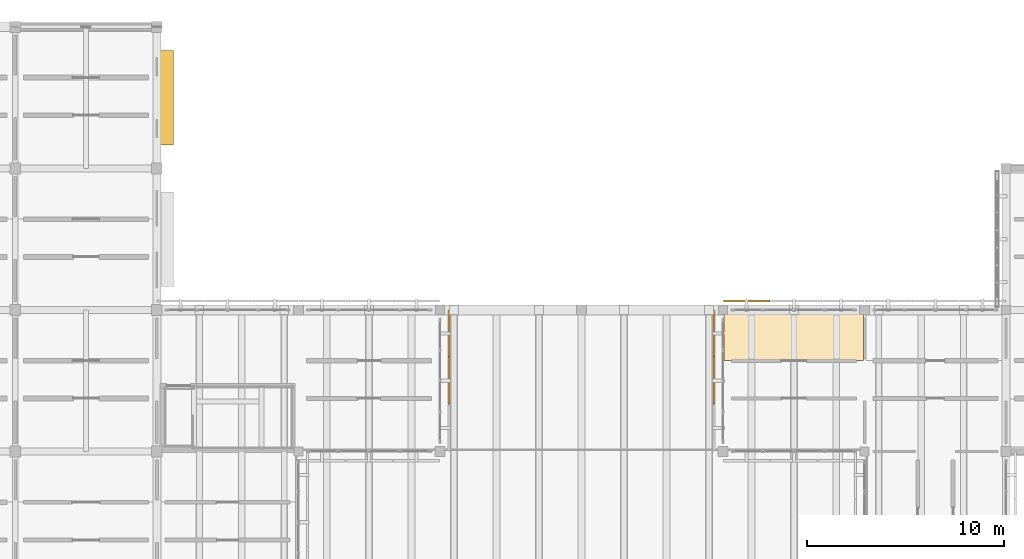
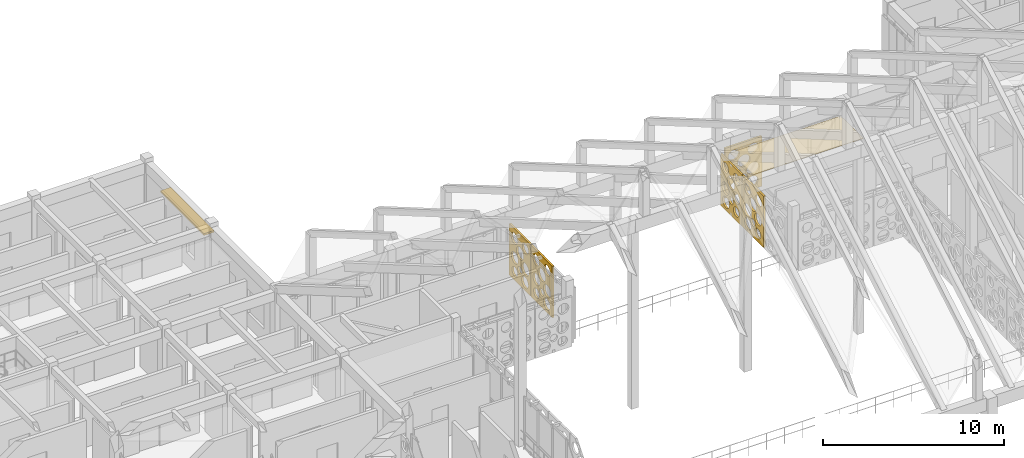
# One storey, part 166 of 171: 6 coverings, 1 shading device.
"""IFC4 building model written with IfcOpenShell, lengths in metres."""

from ifc_helpers import new_model, si_unit, direction, frame, origin, origin_2d, place, context, subcontext, project, spatial, polyline, rectangle, outline, extrude, material, layer, layer_set, type_object, element, save


model = new_model("IFC4")

# Units and contexts
model_context = context("Model", 3, precision=1e-05, world=origin(), true_north=direction((0.0, 1.0)))
body_context = subcontext(model_context, "Body", "Model", "MODEL_VIEW")
ifc_project = project(units=[si_unit("LENGTHUNIT", "METRE"), si_unit("AREAUNIT", "SQUARE_METRE"), si_unit("VOLUMEUNIT", "CUBIC_METRE"), si_unit("PLANEANGLEUNIT", "RADIAN"), si_unit("MASSUNIT", "GRAM", prefix="KILO")], contexts=[model_context])

# Site, building, storey
site_placement = place(None, origin())
site = spatial("IfcSite", under=ifc_project, at=site_placement, CompositionType="ELEMENT")
building_placement = place(site_placement, origin())
building = spatial("IfcBuilding", under=site, at=building_placement, Name="Aldebral Square Health Centre", CompositionType="ELEMENT")
storey_placement = place(building_placement, frame((0.0, 0.0, 4.5)))
storey = spatial("IfcBuildingStorey", under=building, at=storey_placement, Name="L01", CompositionType="ELEMENT", Elevation=4.5)

# Coverings
ifc_material_1 = material(Name="Hygienic acoustic mineral ceiling tile")
ifc_layer_1 = layer(ifc_material_1, 0.02001953125, Name="Hygienic acoustic mineral ceiling tile")
ifc_layer_set_1 = layer_set([ifc_layer_1], Name="Hygienic acoustic mineral ceiling tile")
covering_type_1 = type_object("IfcCoveringType", Name="COV-CLG-AC", PredefinedType="CEILING", material=ifc_layer_set_1)
covering_1_placement = place(storey_placement, frame((0.0, 0.0, 3.340087890625)))
element("IfcCovering", 1, at=covering_1_placement, inside=storey, type_object=covering_type_1, Name="L01 Patient Information Desk 14.14N acoustic ceiling", PredefinedType="CEILING", context=body_context, shape_type="SweptSolid", body=[
    extrude(outline(polyline([(93.659912109375, 98.239990234375), (100.739990234375, 98.239990234375), (100.739990234375, 100.739990234375), (93.659912109375, 100.739990234375), (93.659912109375, 98.239990234375)])), origin(), (0.0, 0.0, 1.0), 0.02001953125),
])
ifc_material_2 = material(Name="Cream cantera perforated stone screen", Category="masonry")
ifc_layer_2 = layer(ifc_material_2, 0.1201171875, Name="Cream cantera perforated stone screen", Category="masonry")
ifc_layer_set_2 = layer_set([ifc_layer_2], Name="Cream cantera perforated stone screen")
covering_type_2 = type_object("IfcCoveringType", Name="COV-SCR-120", PredefinedType="CLADDING", material=ifc_layer_set_2)
covering_2_placement = place(storey_placement, frame((79.659912109375, 96.02001953125, 0.0), z_axis=(0.0, 0.0, 1.0), x_axis=(0.0, 1.0, 0.0)))
element("IfcCovering", 2, at=covering_2_placement, inside=storey, type_object=covering_type_2, Name="L01 V1 circular-aperture stone screen L01-V1-10-13-E.2", PredefinedType="CLADDING", context=body_context, shape_type="SweptSolid", body=[
    extrude(outline(polyline([(0.0, 0.0), (2.35986328125, 0.0), (2.35986328125, 3.469970703125), (0.0, 3.469970703125), (0.0, 0.0)]), holes=[polyline([(0.98486328125, 0.55517578125), (0.966552734375, 0.4404296875), (0.913818359375, 0.3369140625), (0.831787109375, 0.2548828125), (0.728271484375, 0.2021484375), (0.613525390625, 0.18408203125), (0.498779296875, 0.2021484375), (0.3955078125, 0.2548828125), (0.313232421875, 0.3369140625), (0.260498046875, 0.4404296875), (0.242431640625, 0.55517578125), (0.260498046875, 0.669921875), (0.313232421875, 0.7734375), (0.3955078125, 0.85546875), (0.498779296875, 0.908203125), (0.613525390625, 0.926513671875), (0.728271484375, 0.908203125), (0.831787109375, 0.85546875), (0.913818359375, 0.7734375), (0.966552734375, 0.669921875), (0.98486328125, 0.55517578125)]), polyline([(2.059326171875, 0.58984375), (2.0439453125, 0.4931640625), (1.99951171875, 0.406005859375), (1.930419921875, 0.336669921875), (1.843017578125, 0.292236328125), (1.746337890625, 0.277099609375), (1.649658203125, 0.292236328125), (1.5625, 0.336669921875), (1.4931640625, 0.406005859375), (1.44873046875, 0.4931640625), (1.43359375, 0.58984375), (1.44873046875, 0.6865234375), (1.4931640625, 0.77392578125), (1.5625, 0.843017578125), (1.649658203125, 0.887451171875), (1.746337890625, 0.90283203125), (1.843017578125, 0.887451171875), (1.930419921875, 0.843017578125), (1.99951171875, 0.77392578125), (2.0439453125, 0.6865234375), (2.059326171875, 0.58984375)]), polyline([(0.970703125, 1.45751953125), (0.950927734375, 1.33251953125), (0.8935546875, 1.2197265625), (0.803955078125, 1.13037109375), (0.69140625, 1.072998046875), (0.56640625, 1.052978515625), (0.44140625, 1.072998046875), (0.328857421875, 1.13037109375), (0.2392578125, 1.2197265625), (0.181884765625, 1.33251953125), (0.162109375, 1.45751953125), (0.181884765625, 1.582275390625), (0.2392578125, 1.695068359375), (0.328857421875, 1.784423828125), (0.44140625, 1.841796875), (0.56640625, 1.86181640625), (0.69140625, 1.841796875), (0.803955078125, 1.784423828125), (0.8935546875, 1.695068359375), (0.950927734375, 1.582275390625), (0.970703125, 1.45751953125)]), polyline([(2.124267578125, 1.52685546875), (2.105712890625, 1.41015625), (2.052001953125, 1.3046875), (1.968505859375, 1.22119140625), (1.863037109375, 1.16748046875), (1.746337890625, 1.14892578125), (1.629638671875, 1.16748046875), (1.5244140625, 1.22119140625), (1.440673828125, 1.3046875), (1.38720703125, 1.41015625), (1.36865234375, 1.52685546875), (1.38720703125, 1.6435546875), (1.440673828125, 1.748779296875), (1.5244140625, 1.83251953125), (1.629638671875, 1.88623046875), (1.746337890625, 1.904541015625), (1.863037109375, 1.88623046875), (1.968505859375, 1.83251953125), (2.052001953125, 1.748779296875), (2.105712890625, 1.6435546875), (2.124267578125, 1.52685546875)]), polyline([(1.42431640625, 1.00634765625), (1.412353515625, 0.9306640625), (1.377685546875, 0.862548828125), (1.32373046875, 0.80859375), (1.255615234375, 0.77392578125), (1.179931640625, 0.761962890625), (1.1044921875, 0.77392578125), (1.036376953125, 0.80859375), (0.982177734375, 0.862548828125), (0.947509765625, 0.9306640625), (0.935546875, 1.00634765625), (0.947509765625, 1.081787109375), (0.982177734375, 1.14990234375), (1.036376953125, 1.2041015625), (1.1044921875, 1.23876953125), (1.179931640625, 1.250732421875), (1.255615234375, 1.23876953125), (1.32373046875, 1.2041015625), (1.377685546875, 1.14990234375), (1.412353515625, 1.081787109375), (1.42431640625, 1.00634765625)]), polyline([(1.563232421875, 2.18603515625), (1.54345703125, 2.060302734375), (1.485595703125, 1.947021484375), (1.3955078125, 1.85693359375), (1.2822265625, 1.799072265625), (1.156494140625, 1.779296875), (1.03076171875, 1.799072265625), (0.917236328125, 1.85693359375), (0.8271484375, 1.947021484375), (0.76953125, 2.060302734375), (0.74951171875, 2.18603515625), (0.76953125, 2.311767578125), (0.8271484375, 2.42529296875), (0.917236328125, 2.515380859375), (1.03076171875, 2.572998046875), (1.156494140625, 2.593017578125), (1.2822265625, 2.572998046875), (1.3955078125, 2.515380859375), (1.485595703125, 2.42529296875), (1.54345703125, 2.311767578125), (1.563232421875, 2.18603515625)]), polyline([(0.9091796875, 2.845458984375), (0.892333984375, 2.739501953125), (0.84375, 2.64404296875), (0.767822265625, 2.568115234375), (0.67236328125, 2.51953125), (0.56640625, 2.502685546875), (0.46044921875, 2.51953125), (0.364990234375, 2.568115234375), (0.2890625, 2.64404296875), (0.240478515625, 2.739501953125), (0.2236328125, 2.845458984375), (0.240478515625, 2.951416015625), (0.2890625, 3.046875), (0.364990234375, 3.12255859375), (0.46044921875, 3.17138671875), (0.56640625, 3.18798828125), (0.67236328125, 3.17138671875), (0.767822265625, 3.12255859375), (0.84375, 3.046875), (0.892333984375, 2.951416015625), (0.9091796875, 2.845458984375)]), polyline([(2.1513671875, 2.810791015625), (2.1337890625, 2.7001953125), (2.0830078125, 2.600341796875), (2.00390625, 2.521240234375), (1.904052734375, 2.470458984375), (1.793701171875, 2.452880859375), (1.68310546875, 2.470458984375), (1.583251953125, 2.521240234375), (1.504150390625, 2.600341796875), (1.453369140625, 2.7001953125), (1.435791015625, 2.810791015625), (1.453369140625, 2.921142578125), (1.504150390625, 3.02099609375), (1.583251953125, 3.10009765625), (1.68310546875, 3.15087890625), (1.793701171875, 3.16845703125), (1.904052734375, 3.15087890625), (2.00390625, 3.10009765625), (2.0830078125, 3.02099609375), (2.1337890625, 2.921142578125), (2.1513671875, 2.810791015625)])]), frame((0.0, 0.06005859375, 0.0), z_axis=(0.0, -1.0, 0.0), x_axis=(1.0, 0.0, 0.0)), (0.0, 0.0, 1.0), 0.1201171875),
])
covering_3_placement = place(storey_placement, frame((79.659912109375, 98.419921875, 0.0), z_axis=(0.0, 0.0, 1.0), x_axis=(0.0, 1.0, 0.0)))
element("IfcCovering", 3, at=covering_3_placement, inside=storey, type_object=covering_type_2, Name="L01 V1 circular-aperture stone screen L01-V1-10-13-E.3", PredefinedType="CLADDING", context=body_context, shape_type="SweptSolid", body=[
    extrude(outline(polyline([(0.0, 0.0), (2.360107421875, 0.0), (2.360107421875, 3.469970703125), (0.0, 3.469970703125), (0.0, 0.0)]), holes=[polyline([(0.98486328125, 0.55517578125), (0.966552734375, 0.4404296875), (0.913818359375, 0.3369140625), (0.831787109375, 0.2548828125), (0.728271484375, 0.2021484375), (0.613525390625, 0.18408203125), (0.498779296875, 0.2021484375), (0.3955078125, 0.2548828125), (0.313232421875, 0.3369140625), (0.260498046875, 0.4404296875), (0.242431640625, 0.55517578125), (0.260498046875, 0.669921875), (0.313232421875, 0.7734375), (0.3955078125, 0.85546875), (0.498779296875, 0.908203125), (0.613525390625, 0.926513671875), (0.728271484375, 0.908203125), (0.831787109375, 0.85546875), (0.913818359375, 0.7734375), (0.966552734375, 0.669921875), (0.98486328125, 0.55517578125)]), polyline([(2.059326171875, 0.58984375), (2.0439453125, 0.4931640625), (1.99951171875, 0.406005859375), (1.930419921875, 0.336669921875), (1.843017578125, 0.292236328125), (1.746337890625, 0.277099609375), (1.649658203125, 0.292236328125), (1.5625, 0.336669921875), (1.4931640625, 0.406005859375), (1.44873046875, 0.4931640625), (1.43359375, 0.58984375), (1.44873046875, 0.6865234375), (1.4931640625, 0.77392578125), (1.5625, 0.843017578125), (1.649658203125, 0.887451171875), (1.746337890625, 0.90283203125), (1.843017578125, 0.887451171875), (1.930419921875, 0.843017578125), (1.99951171875, 0.77392578125), (2.0439453125, 0.6865234375), (2.059326171875, 0.58984375)]), polyline([(0.970703125, 1.45751953125), (0.950927734375, 1.33251953125), (0.8935546875, 1.2197265625), (0.803955078125, 1.13037109375), (0.69140625, 1.072998046875), (0.56640625, 1.052978515625), (0.44140625, 1.072998046875), (0.328857421875, 1.13037109375), (0.2392578125, 1.2197265625), (0.181884765625, 1.33251953125), (0.162109375, 1.45751953125), (0.181884765625, 1.582275390625), (0.2392578125, 1.695068359375), (0.328857421875, 1.784423828125), (0.44140625, 1.841796875), (0.56640625, 1.86181640625), (0.69140625, 1.841796875), (0.803955078125, 1.784423828125), (0.8935546875, 1.695068359375), (0.950927734375, 1.582275390625), (0.970703125, 1.45751953125)]), polyline([(2.124267578125, 1.52685546875), (2.105712890625, 1.41015625), (2.052001953125, 1.3046875), (1.968505859375, 1.22119140625), (1.863037109375, 1.16748046875), (1.746337890625, 1.14892578125), (1.629638671875, 1.16748046875), (1.5244140625, 1.22119140625), (1.440673828125, 1.3046875), (1.38720703125, 1.41015625), (1.36865234375, 1.52685546875), (1.38720703125, 1.6435546875), (1.440673828125, 1.748779296875), (1.5244140625, 1.83251953125), (1.629638671875, 1.88623046875), (1.746337890625, 1.904541015625), (1.863037109375, 1.88623046875), (1.968505859375, 1.83251953125), (2.052001953125, 1.748779296875), (2.105712890625, 1.6435546875), (2.124267578125, 1.52685546875)]), polyline([(1.42431640625, 1.00634765625), (1.412353515625, 0.9306640625), (1.377685546875, 0.862548828125), (1.32373046875, 0.80859375), (1.255615234375, 0.77392578125), (1.179931640625, 0.761962890625), (1.1044921875, 0.77392578125), (1.036376953125, 0.80859375), (0.982177734375, 0.862548828125), (0.947509765625, 0.9306640625), (0.935546875, 1.00634765625), (0.947509765625, 1.081787109375), (0.982177734375, 1.14990234375), (1.036376953125, 1.2041015625), (1.1044921875, 1.23876953125), (1.179931640625, 1.250732421875), (1.255615234375, 1.23876953125), (1.32373046875, 1.2041015625), (1.377685546875, 1.14990234375), (1.412353515625, 1.081787109375), (1.42431640625, 1.00634765625)]), polyline([(1.563232421875, 2.18603515625), (1.54345703125, 2.060302734375), (1.485595703125, 1.947021484375), (1.3955078125, 1.85693359375), (1.2822265625, 1.799072265625), (1.156494140625, 1.779296875), (1.03076171875, 1.799072265625), (0.917236328125, 1.85693359375), (0.8271484375, 1.947021484375), (0.76953125, 2.060302734375), (0.74951171875, 2.18603515625), (0.76953125, 2.311767578125), (0.8271484375, 2.42529296875), (0.917236328125, 2.515380859375), (1.03076171875, 2.572998046875), (1.156494140625, 2.593017578125), (1.2822265625, 2.572998046875), (1.3955078125, 2.515380859375), (1.485595703125, 2.42529296875), (1.54345703125, 2.311767578125), (1.563232421875, 2.18603515625)]), polyline([(0.9091796875, 2.845458984375), (0.892333984375, 2.739501953125), (0.84375, 2.64404296875), (0.767822265625, 2.568115234375), (0.67236328125, 2.51953125), (0.56640625, 2.502685546875), (0.46044921875, 2.51953125), (0.364990234375, 2.568115234375), (0.2890625, 2.64404296875), (0.240478515625, 2.739501953125), (0.2236328125, 2.845458984375), (0.240478515625, 2.951416015625), (0.2890625, 3.046875), (0.364990234375, 3.12255859375), (0.46044921875, 3.17138671875), (0.56640625, 3.18798828125), (0.67236328125, 3.17138671875), (0.767822265625, 3.12255859375), (0.84375, 3.046875), (0.892333984375, 2.951416015625), (0.9091796875, 2.845458984375)]), polyline([(2.1513671875, 2.810791015625), (2.1337890625, 2.7001953125), (2.0830078125, 2.600341796875), (2.00390625, 2.521240234375), (1.904052734375, 2.470458984375), (1.793701171875, 2.452880859375), (1.68310546875, 2.470458984375), (1.583251953125, 2.521240234375), (1.504150390625, 2.600341796875), (1.453369140625, 2.7001953125), (1.435791015625, 2.810791015625), (1.453369140625, 2.921142578125), (1.504150390625, 3.02099609375), (1.583251953125, 3.10009765625), (1.68310546875, 3.15087890625), (1.793701171875, 3.16845703125), (1.904052734375, 3.15087890625), (2.00390625, 3.10009765625), (2.0830078125, 3.02099609375), (2.1337890625, 2.921142578125), (2.1513671875, 2.810791015625)])]), frame((0.0, 0.06005859375, 0.0), z_axis=(0.0, -1.0, 0.0), x_axis=(1.0, 0.0, 0.0)), (0.0, 0.0, 1.0), 0.1201171875),
])
covering_4_placement = place(storey_placement, frame((95.97998046875, 101.260009765625, 0.0), z_axis=(0.0, 0.0, 1.0), x_axis=(-1.0, 0.0, 0.0)))
element("IfcCovering", 4, at=covering_4_placement, inside=storey, type_object=covering_type_2, Name="L01 V1 circular-aperture stone screen L01-V1-13-13-N.3", PredefinedType="CLADDING", context=body_context, shape_type="SweptSolid", body=[
    extrude(outline(polyline([(0.0, 0.0), (2.35986328125, 0.0), (2.35986328125, 3.3701171875), (0.0, 3.3701171875), (0.0, 0.0)]), holes=[polyline([(0.973388671875, 0.539306640625), (0.955810546875, 0.427978515625), (0.90478515625, 0.32763671875), (0.8251953125, 0.248046875), (0.724853515625, 0.197021484375), (0.613525390625, 0.17919921875), (0.50244140625, 0.197021484375), (0.402099609375, 0.248046875), (0.322509765625, 0.32763671875), (0.271240234375, 0.427978515625), (0.253662109375, 0.539306640625), (0.271240234375, 0.650390625), (0.322509765625, 0.750732421875), (0.402099609375, 0.830322265625), (0.50244140625, 0.881591796875), (0.613525390625, 0.899169921875), (0.724853515625, 0.881591796875), (0.8251953125, 0.830322265625), (0.90478515625, 0.750732421875), (0.955810546875, 0.650390625), (0.973388671875, 0.539306640625)]), polyline([(2.0546875, 0.572998046875), (2.039794921875, 0.4775390625), (1.995849609375, 0.3916015625), (1.927734375, 0.323486328125), (1.841796875, 0.279541015625), (1.746337890625, 0.264404296875), (1.651123046875, 0.279541015625), (1.565185546875, 0.323486328125), (1.496826171875, 0.3916015625), (1.453125, 0.4775390625), (1.43798828125, 0.572998046875), (1.453125, 0.668212890625), (1.496826171875, 0.754150390625), (1.565185546875, 0.822509765625), (1.651123046875, 0.8662109375), (1.746337890625, 0.88134765625), (1.841796875, 0.8662109375), (1.927734375, 0.822509765625), (1.995849609375, 0.754150390625), (2.039794921875, 0.668212890625), (2.0546875, 0.572998046875)]), polyline([(0.9619140625, 1.415283203125), (0.942626953125, 1.293212890625), (0.886474609375, 1.182861328125), (0.798828125, 1.095458984375), (0.688720703125, 1.039306640625), (0.56640625, 1.02001953125), (0.444091796875, 1.039306640625), (0.333984375, 1.095458984375), (0.246337890625, 1.182861328125), (0.190185546875, 1.293212890625), (0.1708984375, 1.415283203125), (0.190185546875, 1.53759765625), (0.246337890625, 1.64794921875), (0.333984375, 1.7353515625), (0.444091796875, 1.79150390625), (0.56640625, 1.810791015625), (0.688720703125, 1.79150390625), (0.798828125, 1.7353515625), (0.886474609375, 1.64794921875), (0.942626953125, 1.53759765625), (0.9619140625, 1.415283203125)]), polyline([(2.117919921875, 1.48291015625), (2.099853515625, 1.367919921875), (2.047119140625, 1.264404296875), (1.96484375, 1.18212890625), (1.861328125, 1.12939453125), (1.746337890625, 1.111083984375), (1.631591796875, 1.12939453125), (1.528076171875, 1.18212890625), (1.44580078125, 1.264404296875), (1.39306640625, 1.367919921875), (1.374755859375, 1.48291015625), (1.39306640625, 1.59765625), (1.44580078125, 1.701171875), (1.528076171875, 1.783447265625), (1.631591796875, 1.836181640625), (1.746337890625, 1.8544921875), (1.861328125, 1.836181640625), (1.96484375, 1.783447265625), (2.047119140625, 1.701171875), (2.099853515625, 1.59765625), (2.117919921875, 1.48291015625)]), polyline([(1.4248046875, 0.977294921875), (1.412841796875, 0.901611328125), (1.3779296875, 0.83349609375), (1.32373046875, 0.779296875), (1.255615234375, 0.74462890625), (1.179931640625, 0.732666015625), (1.1044921875, 0.74462890625), (1.0361328125, 0.779296875), (0.98193359375, 0.83349609375), (0.947265625, 0.901611328125), (0.935302734375, 0.977294921875), (0.947265625, 1.052978515625), (0.98193359375, 1.12109375), (1.0361328125, 1.17529296875), (1.1044921875, 1.2099609375), (1.179931640625, 1.221923828125), (1.255615234375, 1.2099609375), (1.32373046875, 1.17529296875), (1.3779296875, 1.12109375), (1.412841796875, 1.052978515625), (1.4248046875, 0.977294921875)]), polyline([(1.555419921875, 2.123046875), (1.535888671875, 1.999755859375), (1.479248046875, 1.888427734375), (1.390869140625, 1.80029296875), (1.27978515625, 1.74365234375), (1.156494140625, 1.72412109375), (1.032958984375, 1.74365234375), (0.921875, 1.80029296875), (0.83349609375, 1.888427734375), (0.77685546875, 1.999755859375), (0.75732421875, 2.123046875), (0.77685546875, 2.246337890625), (0.83349609375, 2.357666015625), (0.921875, 2.446044921875), (1.032958984375, 2.502685546875), (1.156494140625, 2.522216796875), (1.27978515625, 2.502685546875), (1.390869140625, 2.446044921875), (1.479248046875, 2.357666015625), (1.535888671875, 2.246337890625), (1.555419921875, 2.123046875)]), polyline([(0.904296875, 2.763427734375), (0.8876953125, 2.658935546875), (0.839599609375, 2.56494140625), (0.764892578125, 2.490234375), (0.6708984375, 2.442138671875), (0.56640625, 2.425537109375), (0.4619140625, 2.442138671875), (0.367919921875, 2.490234375), (0.293212890625, 2.56494140625), (0.2451171875, 2.658935546875), (0.228515625, 2.763427734375), (0.2451171875, 2.86767578125), (0.293212890625, 2.9619140625), (0.367919921875, 3.03662109375), (0.4619140625, 3.084716796875), (0.56640625, 3.101318359375), (0.6708984375, 3.084716796875), (0.764892578125, 3.03662109375), (0.839599609375, 2.9619140625), (0.8876953125, 2.86767578125), (0.904296875, 2.763427734375)]), polyline([(2.14599609375, 2.729736328125), (2.12890625, 2.620849609375), (2.078857421875, 2.5224609375), (2.000732421875, 2.444580078125), (1.902587890625, 2.39453125), (1.793701171875, 2.377197265625), (1.6845703125, 2.39453125), (1.58642578125, 2.444580078125), (1.50830078125, 2.5224609375), (1.458251953125, 2.620849609375), (1.441162109375, 2.729736328125), (1.458251953125, 2.838623046875), (1.50830078125, 2.93701171875), (1.58642578125, 3.014892578125), (1.6845703125, 3.06494140625), (1.793701171875, 3.082275390625), (1.902587890625, 3.06494140625), (2.000732421875, 3.014892578125), (2.078857421875, 2.93701171875), (2.12890625, 2.838623046875), (2.14599609375, 2.729736328125)])]), frame((0.0, 0.06005859375, 0.0), z_axis=(0.0, -1.0, 0.0), x_axis=(1.0, 0.0, 0.0)), (0.0, 0.0, 1.0), 0.1201171875),
])
covering_5_placement = place(storey_placement, frame((93.139892578125, 100.780029296875, 0.0), z_axis=(0.0, 0.0, 1.0), x_axis=(0.0, -1.0, 0.0)))
element("IfcCovering", 5, at=covering_5_placement, inside=storey, type_object=covering_type_2, Name="L01 V1 circular-aperture stone screen L01-V1-13-13-W.1", PredefinedType="CLADDING", context=body_context, shape_type="SweptSolid", body=[
    extrude(outline(polyline([(0.0, 0.0), (2.360107421875, 0.0), (2.360107421875, 3.469970703125), (0.0, 3.469970703125), (0.0, 0.0)]), holes=[polyline([(0.98486328125, 0.55517578125), (0.966552734375, 0.4404296875), (0.913818359375, 0.3369140625), (0.831787109375, 0.2548828125), (0.728271484375, 0.2021484375), (0.613525390625, 0.18408203125), (0.498779296875, 0.2021484375), (0.3955078125, 0.2548828125), (0.313232421875, 0.3369140625), (0.260498046875, 0.4404296875), (0.242431640625, 0.55517578125), (0.260498046875, 0.669921875), (0.313232421875, 0.7734375), (0.3955078125, 0.85546875), (0.498779296875, 0.908203125), (0.613525390625, 0.926513671875), (0.728271484375, 0.908203125), (0.831787109375, 0.85546875), (0.913818359375, 0.7734375), (0.966552734375, 0.669921875), (0.98486328125, 0.55517578125)]), polyline([(2.059326171875, 0.58984375), (2.0439453125, 0.4931640625), (1.99951171875, 0.406005859375), (1.930419921875, 0.336669921875), (1.843017578125, 0.292236328125), (1.746337890625, 0.277099609375), (1.649658203125, 0.292236328125), (1.5625, 0.336669921875), (1.4931640625, 0.406005859375), (1.44873046875, 0.4931640625), (1.43359375, 0.58984375), (1.44873046875, 0.6865234375), (1.4931640625, 0.77392578125), (1.5625, 0.843017578125), (1.649658203125, 0.887451171875), (1.746337890625, 0.90283203125), (1.843017578125, 0.887451171875), (1.930419921875, 0.843017578125), (1.99951171875, 0.77392578125), (2.0439453125, 0.6865234375), (2.059326171875, 0.58984375)]), polyline([(0.970703125, 1.45751953125), (0.950927734375, 1.33251953125), (0.8935546875, 1.2197265625), (0.803955078125, 1.13037109375), (0.69140625, 1.072998046875), (0.56640625, 1.052978515625), (0.44140625, 1.072998046875), (0.328857421875, 1.13037109375), (0.2392578125, 1.2197265625), (0.181884765625, 1.33251953125), (0.162109375, 1.45751953125), (0.181884765625, 1.582275390625), (0.2392578125, 1.695068359375), (0.328857421875, 1.784423828125), (0.44140625, 1.841796875), (0.56640625, 1.86181640625), (0.69140625, 1.841796875), (0.803955078125, 1.784423828125), (0.8935546875, 1.695068359375), (0.950927734375, 1.582275390625), (0.970703125, 1.45751953125)]), polyline([(2.124267578125, 1.52685546875), (2.105712890625, 1.41015625), (2.052001953125, 1.3046875), (1.968505859375, 1.22119140625), (1.863037109375, 1.16748046875), (1.746337890625, 1.14892578125), (1.629638671875, 1.16748046875), (1.5244140625, 1.22119140625), (1.440673828125, 1.3046875), (1.38720703125, 1.41015625), (1.36865234375, 1.52685546875), (1.38720703125, 1.6435546875), (1.440673828125, 1.748779296875), (1.5244140625, 1.83251953125), (1.629638671875, 1.88623046875), (1.746337890625, 1.904541015625), (1.863037109375, 1.88623046875), (1.968505859375, 1.83251953125), (2.052001953125, 1.748779296875), (2.105712890625, 1.6435546875), (2.124267578125, 1.52685546875)]), polyline([(1.42431640625, 1.00634765625), (1.412353515625, 0.9306640625), (1.377685546875, 0.862548828125), (1.32373046875, 0.80859375), (1.255615234375, 0.77392578125), (1.179931640625, 0.761962890625), (1.1044921875, 0.77392578125), (1.036376953125, 0.80859375), (0.982177734375, 0.862548828125), (0.947509765625, 0.9306640625), (0.935546875, 1.00634765625), (0.947509765625, 1.081787109375), (0.982177734375, 1.14990234375), (1.036376953125, 1.2041015625), (1.1044921875, 1.23876953125), (1.179931640625, 1.250732421875), (1.255615234375, 1.23876953125), (1.32373046875, 1.2041015625), (1.377685546875, 1.14990234375), (1.412353515625, 1.081787109375), (1.42431640625, 1.00634765625)]), polyline([(1.563232421875, 2.18603515625), (1.54345703125, 2.060302734375), (1.485595703125, 1.947021484375), (1.3955078125, 1.85693359375), (1.2822265625, 1.799072265625), (1.156494140625, 1.779296875), (1.03076171875, 1.799072265625), (0.917236328125, 1.85693359375), (0.8271484375, 1.947021484375), (0.76953125, 2.060302734375), (0.74951171875, 2.18603515625), (0.76953125, 2.311767578125), (0.8271484375, 2.42529296875), (0.917236328125, 2.515380859375), (1.03076171875, 2.572998046875), (1.156494140625, 2.593017578125), (1.2822265625, 2.572998046875), (1.3955078125, 2.515380859375), (1.485595703125, 2.42529296875), (1.54345703125, 2.311767578125), (1.563232421875, 2.18603515625)]), polyline([(0.9091796875, 2.845458984375), (0.892333984375, 2.739501953125), (0.84375, 2.64404296875), (0.767822265625, 2.568115234375), (0.67236328125, 2.51953125), (0.56640625, 2.502685546875), (0.46044921875, 2.51953125), (0.364990234375, 2.568115234375), (0.2890625, 2.64404296875), (0.240478515625, 2.739501953125), (0.2236328125, 2.845458984375), (0.240478515625, 2.951416015625), (0.2890625, 3.046875), (0.364990234375, 3.12255859375), (0.46044921875, 3.17138671875), (0.56640625, 3.18798828125), (0.67236328125, 3.17138671875), (0.767822265625, 3.12255859375), (0.84375, 3.046875), (0.892333984375, 2.951416015625), (0.9091796875, 2.845458984375)]), polyline([(2.1513671875, 2.810791015625), (2.1337890625, 2.7001953125), (2.0830078125, 2.600341796875), (2.00390625, 2.521240234375), (1.904052734375, 2.470458984375), (1.793701171875, 2.452880859375), (1.68310546875, 2.470458984375), (1.583251953125, 2.521240234375), (1.504150390625, 2.600341796875), (1.453369140625, 2.7001953125), (1.435791015625, 2.810791015625), (1.453369140625, 2.921142578125), (1.504150390625, 3.02099609375), (1.583251953125, 3.10009765625), (1.68310546875, 3.15087890625), (1.793701171875, 3.16845703125), (1.904052734375, 3.15087890625), (2.00390625, 3.10009765625), (2.0830078125, 3.02099609375), (2.1337890625, 2.921142578125), (2.1513671875, 2.810791015625)])]), frame((0.0, 0.06005859375, 0.0), z_axis=(0.0, -1.0, 0.0), x_axis=(1.0, 0.0, 0.0)), (0.0, 0.0, 1.0), 0.1201171875),
])
covering_6_placement = place(storey_placement, frame((93.139892578125, 98.3798828125, 0.0), z_axis=(0.0, 0.0, 1.0), x_axis=(0.0, -1.0, 0.0)))
element("IfcCovering", 6, at=covering_6_placement, inside=storey, type_object=covering_type_2, Name="L01 V1 circular-aperture stone screen L01-V1-13-13-W.2", PredefinedType="CLADDING", context=body_context, shape_type="SweptSolid", body=[
    extrude(outline(polyline([(0.0, 0.0), (2.35986328125, 0.0), (2.35986328125, 3.469970703125), (0.0, 3.469970703125), (0.0, 0.0)]), holes=[polyline([(0.98486328125, 0.55517578125), (0.966552734375, 0.4404296875), (0.913818359375, 0.3369140625), (0.831787109375, 0.2548828125), (0.728271484375, 0.2021484375), (0.613525390625, 0.18408203125), (0.498779296875, 0.2021484375), (0.3955078125, 0.2548828125), (0.313232421875, 0.3369140625), (0.260498046875, 0.4404296875), (0.242431640625, 0.55517578125), (0.260498046875, 0.669921875), (0.313232421875, 0.7734375), (0.3955078125, 0.85546875), (0.498779296875, 0.908203125), (0.613525390625, 0.926513671875), (0.728271484375, 0.908203125), (0.831787109375, 0.85546875), (0.913818359375, 0.7734375), (0.966552734375, 0.669921875), (0.98486328125, 0.55517578125)]), polyline([(2.059326171875, 0.58984375), (2.0439453125, 0.4931640625), (1.99951171875, 0.406005859375), (1.930419921875, 0.336669921875), (1.843017578125, 0.292236328125), (1.746337890625, 0.277099609375), (1.649658203125, 0.292236328125), (1.5625, 0.336669921875), (1.4931640625, 0.406005859375), (1.44873046875, 0.4931640625), (1.43359375, 0.58984375), (1.44873046875, 0.6865234375), (1.4931640625, 0.77392578125), (1.5625, 0.843017578125), (1.649658203125, 0.887451171875), (1.746337890625, 0.90283203125), (1.843017578125, 0.887451171875), (1.930419921875, 0.843017578125), (1.99951171875, 0.77392578125), (2.0439453125, 0.6865234375), (2.059326171875, 0.58984375)]), polyline([(0.970703125, 1.45751953125), (0.950927734375, 1.33251953125), (0.8935546875, 1.2197265625), (0.803955078125, 1.13037109375), (0.69140625, 1.072998046875), (0.56640625, 1.052978515625), (0.44140625, 1.072998046875), (0.328857421875, 1.13037109375), (0.2392578125, 1.2197265625), (0.181884765625, 1.33251953125), (0.162109375, 1.45751953125), (0.181884765625, 1.582275390625), (0.2392578125, 1.695068359375), (0.328857421875, 1.784423828125), (0.44140625, 1.841796875), (0.56640625, 1.86181640625), (0.69140625, 1.841796875), (0.803955078125, 1.784423828125), (0.8935546875, 1.695068359375), (0.950927734375, 1.582275390625), (0.970703125, 1.45751953125)]), polyline([(2.124267578125, 1.52685546875), (2.105712890625, 1.41015625), (2.052001953125, 1.3046875), (1.968505859375, 1.22119140625), (1.863037109375, 1.16748046875), (1.746337890625, 1.14892578125), (1.629638671875, 1.16748046875), (1.5244140625, 1.22119140625), (1.440673828125, 1.3046875), (1.38720703125, 1.41015625), (1.36865234375, 1.52685546875), (1.38720703125, 1.6435546875), (1.440673828125, 1.748779296875), (1.5244140625, 1.83251953125), (1.629638671875, 1.88623046875), (1.746337890625, 1.904541015625), (1.863037109375, 1.88623046875), (1.968505859375, 1.83251953125), (2.052001953125, 1.748779296875), (2.105712890625, 1.6435546875), (2.124267578125, 1.52685546875)]), polyline([(1.42431640625, 1.00634765625), (1.412353515625, 0.9306640625), (1.377685546875, 0.862548828125), (1.32373046875, 0.80859375), (1.255615234375, 0.77392578125), (1.179931640625, 0.761962890625), (1.1044921875, 0.77392578125), (1.036376953125, 0.80859375), (0.982177734375, 0.862548828125), (0.947509765625, 0.9306640625), (0.935546875, 1.00634765625), (0.947509765625, 1.081787109375), (0.982177734375, 1.14990234375), (1.036376953125, 1.2041015625), (1.1044921875, 1.23876953125), (1.179931640625, 1.250732421875), (1.255615234375, 1.23876953125), (1.32373046875, 1.2041015625), (1.377685546875, 1.14990234375), (1.412353515625, 1.081787109375), (1.42431640625, 1.00634765625)]), polyline([(1.563232421875, 2.18603515625), (1.54345703125, 2.060302734375), (1.485595703125, 1.947021484375), (1.3955078125, 1.85693359375), (1.2822265625, 1.799072265625), (1.156494140625, 1.779296875), (1.03076171875, 1.799072265625), (0.917236328125, 1.85693359375), (0.8271484375, 1.947021484375), (0.76953125, 2.060302734375), (0.74951171875, 2.18603515625), (0.76953125, 2.311767578125), (0.8271484375, 2.42529296875), (0.917236328125, 2.515380859375), (1.03076171875, 2.572998046875), (1.156494140625, 2.593017578125), (1.2822265625, 2.572998046875), (1.3955078125, 2.515380859375), (1.485595703125, 2.42529296875), (1.54345703125, 2.311767578125), (1.563232421875, 2.18603515625)]), polyline([(0.9091796875, 2.845458984375), (0.892333984375, 2.739501953125), (0.84375, 2.64404296875), (0.767822265625, 2.568115234375), (0.67236328125, 2.51953125), (0.56640625, 2.502685546875), (0.46044921875, 2.51953125), (0.364990234375, 2.568115234375), (0.2890625, 2.64404296875), (0.240478515625, 2.739501953125), (0.2236328125, 2.845458984375), (0.240478515625, 2.951416015625), (0.2890625, 3.046875), (0.364990234375, 3.12255859375), (0.46044921875, 3.17138671875), (0.56640625, 3.18798828125), (0.67236328125, 3.17138671875), (0.767822265625, 3.12255859375), (0.84375, 3.046875), (0.892333984375, 2.951416015625), (0.9091796875, 2.845458984375)]), polyline([(2.1513671875, 2.810791015625), (2.1337890625, 2.7001953125), (2.0830078125, 2.600341796875), (2.00390625, 2.521240234375), (1.904052734375, 2.470458984375), (1.793701171875, 2.452880859375), (1.68310546875, 2.470458984375), (1.583251953125, 2.521240234375), (1.504150390625, 2.600341796875), (1.453369140625, 2.7001953125), (1.435791015625, 2.810791015625), (1.453369140625, 2.921142578125), (1.504150390625, 3.02099609375), (1.583251953125, 3.10009765625), (1.68310546875, 3.15087890625), (1.793701171875, 3.16845703125), (1.904052734375, 3.15087890625), (2.00390625, 3.10009765625), (2.0830078125, 3.02099609375), (2.1337890625, 2.921142578125), (2.1513671875, 2.810791015625)])]), frame((0.0, 0.06005859375, 0.0), z_axis=(0.0, -1.0, 0.0), x_axis=(1.0, 0.0, 0.0)), (0.0, 0.0, 1.0), 0.1201171875),
])

# Shading device
ifc_material_3 = material(Name="Sienna-terracotta solar hood", Category="masonry")
shading_device_type = type_object("IfcShadingDeviceType", Name="SHD-LVR-1", PredefinedType="JALOUSIE", material=ifc_material_3)
shading_device_placement = place(storey_placement, frame((65.31494140625, 111.60009765625, 2.669921875), z_axis=(0.0, 0.0, 1.0), x_axis=(0.0, 1.0, 0.0)))
element("IfcShadingDevice", 7, at=shading_device_placement, inside=storey, type_object=shading_device_type, Name="L01 solar hood L01-V2-08-15-E", PredefinedType="JALOUSIE", context=body_context, shape_type="SweptSolid", body=[
    extrude(rectangle(XDim=4.800048828125, YDim=0.64990234375, at=origin_2d()), origin(), (0.0, 0.0, 1.0), 0.1201171875),
])

save(model, "model.ifc")
